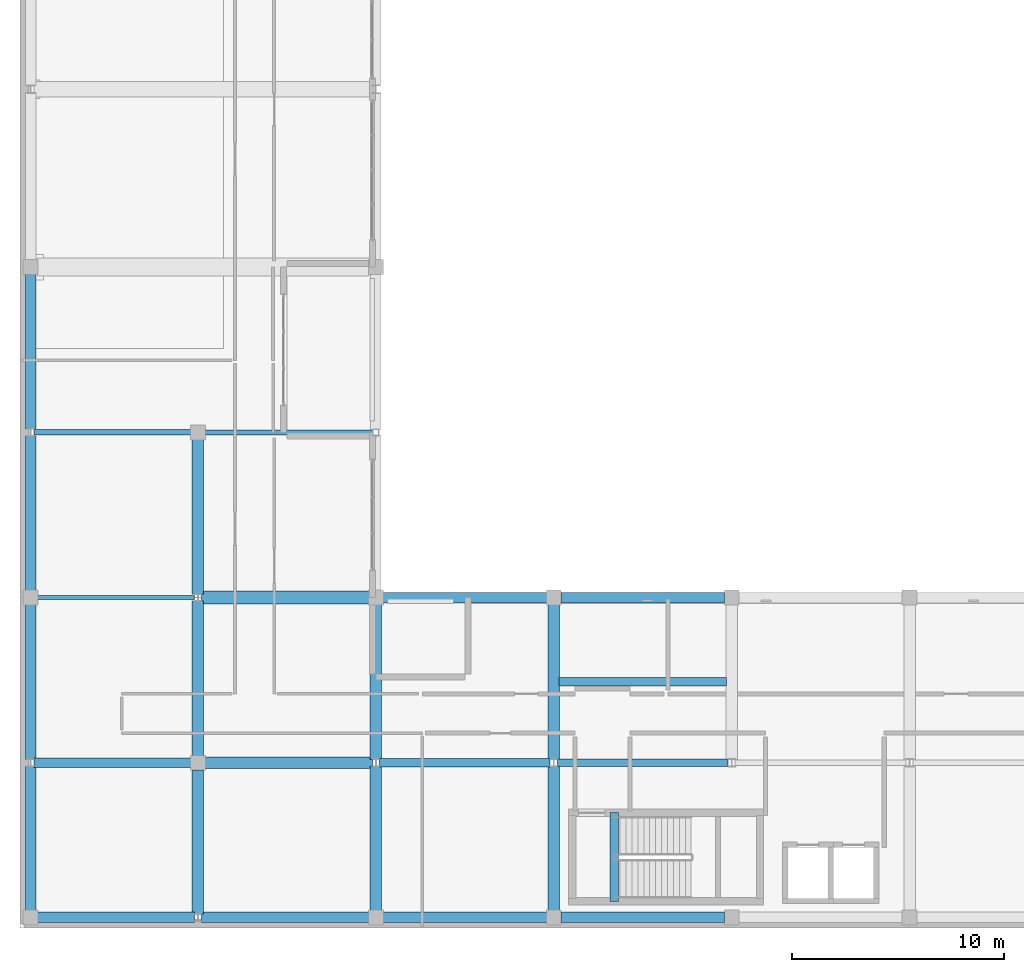
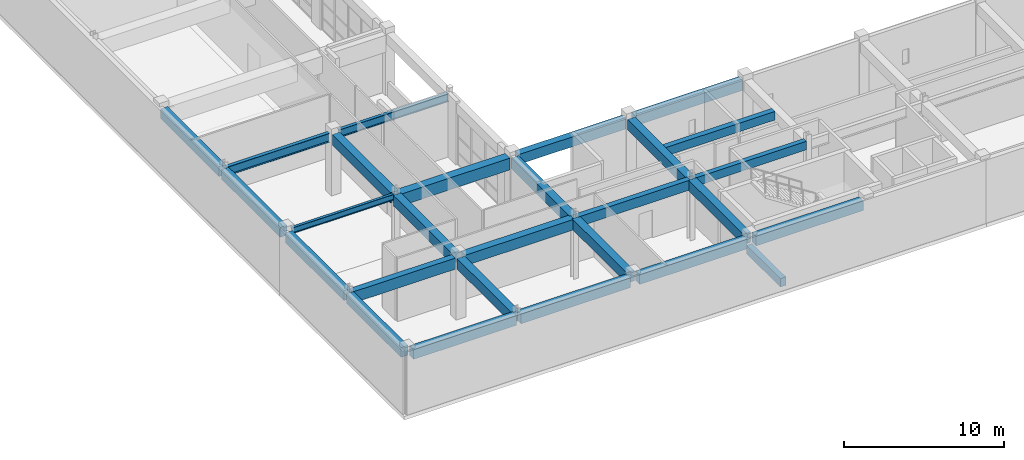
# One storey, part 12 of 78: 27 beams.
"""IFC4 building model written with IfcOpenShell, lengths in metres."""

from ifc_helpers import new_model, si_unit, direction, frame, origin, origin_2d, place, context, subcontext, project, spatial, rectangle, i_section, extrude, material, material_profile, profile_set, type_object, element, save


model = new_model("IFC4")

# Units and contexts
model_context = context("Model", 3, precision=1e-05, world=origin(), true_north=direction((0.0, 1.0)))
body_context = subcontext(model_context, "Body", "Model", "MODEL_VIEW")
ifc_project = project(units=[si_unit("LENGTHUNIT", "METRE"), si_unit("AREAUNIT", "SQUARE_METRE"), si_unit("VOLUMEUNIT", "CUBIC_METRE"), si_unit("PLANEANGLEUNIT", "RADIAN"), si_unit("MASSUNIT", "GRAM", prefix="KILO")], contexts=[model_context])

# Site, building, storey
site_placement = place(None, origin())
site = spatial("IfcSite", under=ifc_project, at=site_placement, CompositionType="ELEMENT")
building_placement = place(site_placement, origin())
building = spatial("IfcBuilding", under=site, at=building_placement, Name="Quendrovan Civic Courthouse", CompositionType="ELEMENT")
storey_placement = place(building_placement, frame((0.0, 0.0, 10.199951171875)))
storey = spatial("IfcBuildingStorey", under=building, at=storey_placement, Name="L03", CompositionType="ELEMENT", Elevation=10.199951171875)

# Beams
ifc_material_1 = material(Name="Concrete C40/50", Category="concrete")
ifc_material_profile_1 = material_profile(ifc_material_1, rectangle(XDim=0.39990234375, YDim=0.64990234375, at=origin_2d()), Name="RC-BM-400x650")
ifc_profile_set_1 = profile_set([ifc_material_profile_1], Name="Concrete C40/50")
beam_type_1 = type_object("IfcBeamType", Name="BM-RC650", PredefinedType="JOIST", material=ifc_profile_set_1)
beam_1_placement = place(storey_placement, frame((25.455078125, 11.617919921875, 4.3349609375), z_axis=(1.0, 0.0, 0.0), x_axis=(0.0, 1.0, 0.0)))
element("IfcBeam", 1, at=beam_1_placement, inside=storey, type_object=beam_type_1, Name="L03 Secondary Joist 0873", PredefinedType="JOIST", context=body_context, shape_type="SweptSolid", body=[
    extrude(rectangle(XDim=0.39990234375, YDim=0.64990234375, at=origin_2d()), origin(), (0.0, 0.0, 1.0), 7.889892578125),
])
beam_2_placement = place(storey_placement, frame((28.050048828125, 1.25, -0.324951171875), z_axis=(0.0, 1.0, 0.0), x_axis=(-1.0, 0.0, 0.0)))
element("IfcBeam", 2, at=beam_2_placement, inside=storey, type_object=beam_type_1, Name="L03 Stair ST5 Landing Trimmer Beam", PredefinedType="JOIST", context=body_context, shape_type="SweptSolid", body=[
    extrude(rectangle(XDim=0.39990234375, YDim=0.64990234375, at=origin_2d()), origin(), (0.0, 0.0, 1.0), 4.199951171875),
])
ifc_material_profile_2 = material_profile(ifc_material_1, rectangle(XDim=0.35009765625, YDim=0.64990234375, at=origin_2d()), Name="RC-BM-350x650")
ifc_profile_set_2 = profile_set([ifc_material_profile_2], Name="Concrete C40/50")
beam_type_2 = type_object("IfcBeamType", Name="BM-RC650B", PredefinedType="BEAM", material=ifc_profile_set_2)
beam_3_placement = place(storey_placement, frame((25.366943359375, 7.800048828125, 4.3349609375), z_axis=(1.0, 0.0, 0.0), x_axis=(0.0, 1.0, 0.0)))
element("IfcBeam", 3, at=beam_3_placement, inside=storey, type_object=beam_type_2, Name="L03 Girder X0725", PredefinedType="BEAM", context=body_context, shape_type="SweptSolid", body=[
    extrude(rectangle(XDim=0.35009765625, YDim=0.64990234375, at=origin_2d()), origin(), (0.0, 0.0, 1.0), 8.066162109375),
])
ifc_material_profile_3 = material_profile(ifc_material_1, rectangle(XDim=0.5, YDim=0.75, at=origin_2d()), Name="RC-BM-500x750")
ifc_profile_set_3 = profile_set([ifc_material_profile_3], Name="Concrete C40/50")
beam_type_3 = type_object("IfcBeamType", Name="BM-RC750", PredefinedType="SPANDREL", material=ifc_profile_set_3)
beam_4_placement = place(storey_placement, frame((0.830078125, 0.5, 4.28515625), z_axis=(1.0, 0.0, 0.0), x_axis=(0.0, 1.0, 0.0)))
element("IfcBeam", 4, at=beam_4_placement, inside=storey, type_object=beam_type_3, Name="L03 Girder X0714", PredefinedType="SPANDREL", context=body_context, shape_type="SweptSolid", body=[
    extrude(rectangle(XDim=0.5, YDim=0.75, at=origin_2d()), origin(), (0.0, 0.0, 1.0), 7.40283203125),
])
beam_5_placement = place(storey_placement, frame((8.56689453125, 0.5, 4.28515625), z_axis=(1.0, 0.0, 0.0), x_axis=(0.0, 1.0, 0.0)))
element("IfcBeam", 5, at=beam_5_placement, inside=storey, type_object=beam_type_3, Name="L03 Girder X0715", PredefinedType="SPANDREL", context=body_context, shape_type="SweptSolid", body=[
    extrude(rectangle(XDim=0.5, YDim=0.75, at=origin_2d()), origin(), (0.0, 0.0, 1.0), 7.903076171875),
])
beam_6_placement = place(storey_placement, frame((17.1298828125, 0.5, 4.28515625), z_axis=(1.0, 0.0, 0.0), x_axis=(0.0, 1.0, 0.0)))
element("IfcBeam", 6, at=beam_6_placement, inside=storey, type_object=beam_type_3, Name="L03 Girder X0716", PredefinedType="SPANDREL", context=body_context, shape_type="SweptSolid", body=[
    extrude(rectangle(XDim=0.5, YDim=0.75, at=origin_2d()), origin(), (0.0, 0.0, 1.0), 7.740234375),
])
beam_7_placement = place(storey_placement, frame((25.530029296875, 0.5, 4.28515625), z_axis=(1.0, 0.0, 0.0), x_axis=(0.0, 1.0, 0.0)))
element("IfcBeam", 7, at=beam_7_placement, inside=storey, type_object=beam_type_3, Name="L03 Girder X0717", PredefinedType="SPANDREL", context=body_context, shape_type="SweptSolid", body=[
    extrude(rectangle(XDim=0.5, YDim=0.75, at=origin_2d()), origin(), (0.0, 0.0, 1.0), 7.739990234375),
])
beam_8_placement = place(storey_placement, frame((17.1298828125, 15.60009765625, 4.28515625), z_axis=(1.0, 0.0, 0.0), x_axis=(0.0, 1.0, 0.0)))
element("IfcBeam", 8, at=beam_8_placement, inside=storey, type_object=beam_type_3, Name="L03 Girder X0732", PredefinedType="SPANDREL", context=body_context, shape_type="SweptSolid", body=[
    extrude(rectangle(XDim=0.5, YDim=0.75, at=origin_2d()), origin(), (0.0, 0.0, 1.0), 7.740234375),
])
beam_9_placement = place(storey_placement, frame((25.530029296875, 15.60009765625, 4.28515625), z_axis=(1.0, 0.0, 0.0), x_axis=(0.0, 1.0, 0.0)))
element("IfcBeam", 9, at=beam_9_placement, inside=storey, type_object=beam_type_3, Name="L03 Girder X0733", PredefinedType="SPANDREL", context=body_context, shape_type="SweptSolid", body=[
    extrude(rectangle(XDim=0.5, YDim=0.75, at=origin_2d()), origin(), (0.0, 0.0, 1.0), 7.739990234375),
])
beam_10_placement = place(storey_placement, frame((0.5, 0.830078125, 4.28515625), z_axis=(0.0, 1.0, 0.0), x_axis=(-1.0, 0.0, 0.0)))
element("IfcBeam", 10, at=beam_10_placement, inside=storey, type_object=beam_type_3, Name="L03 Girder Y0793", PredefinedType="SPANDREL", context=body_context, shape_type="SweptSolid", body=[
    extrude(rectangle(XDim=0.5, YDim=0.75, at=origin_2d()), origin(), (0.0, 0.0, 1.0), 6.803955078125),
])
for number, where, z_axis, x_axis, name in (
    (11, (0.5, 7.966064453125, 4.28515625), (0.0, 1.0, 0.0), (-1.0, 0.0, 0.0), "L03 Girder Y0794"),
    (12, (0.5, 15.929931640625, 4.28515625), (0.0, 1.0, 0.0), (-1.0, 0.0, 0.0), "L03 Girder Y0795"),
):
    element("IfcBeam", number, at=place(storey_placement, frame(where, z_axis=z_axis, x_axis=x_axis)), inside=storey, type_object=beam_type_3, Name=name, PredefinedType="SPANDREL", context=body_context, shape_type="SweptSolid", body=[
        extrude(rectangle(XDim=0.5, YDim=0.75, at=origin_2d()), origin(), (0.0, 0.0, 1.0), 7.303955078125),
    ])
beam_11_placement = place(storey_placement, frame((0.5, 23.56591796875, 4.28515625), z_axis=(0.0, 1.0, 0.0), x_axis=(-1.0, 0.0, 0.0)))
element("IfcBeam", 13, at=beam_11_placement, inside=storey, type_object=beam_type_3, Name="L03 Girder Y0796", PredefinedType="SPANDREL", context=body_context, shape_type="SweptSolid", body=[
    extrude(rectangle(XDim=0.5, YDim=0.75, at=origin_2d()), origin(), (0.0, 0.0, 1.0), 7.30419921875),
])
ifc_material_profile_4 = material_profile(ifc_material_1, rectangle(XDim=0.39990234375, YDim=0.75, at=origin_2d()), Name="RC-BM-400x750")
ifc_profile_set_4 = profile_set([ifc_material_profile_4], Name="Concrete C40/50")
beam_type_4 = type_object("IfcBeamType", Name="BM-RC750B", PredefinedType="BEAM", material=ifc_profile_set_4)
beam_12_placement = place(storey_placement, frame((16.967041015625, 7.800048828125, 4.28515625), z_axis=(1.0, 0.0, 0.0), x_axis=(0.0, 1.0, 0.0)))
element("IfcBeam", 14, at=beam_12_placement, inside=storey, type_object=beam_type_4, Name="L03 Girder X0724", PredefinedType="BEAM", context=body_context, shape_type="SweptSolid", body=[
    extrude(rectangle(XDim=0.39990234375, YDim=0.75, at=origin_2d()), origin(), (0.0, 0.0, 1.0), 8.06591796875),
])
ifc_material_profile_5 = material_profile(ifc_material_1, rectangle(XDim=0.550048828125, YDim=0.800048828125, at=origin_2d()), Name="RC-BM-550x800")
ifc_profile_set_5 = profile_set([ifc_material_profile_5], Name="Concrete C40/50")
beam_type_5 = type_object("IfcBeamType", Name="BM-RC800", PredefinedType="BEAM", material=ifc_profile_set_5)
beam_13_placement = place(storey_placement, frame((8.72998046875, 7.800048828125, 4.260009765625), z_axis=(1.0, 0.0, 0.0), x_axis=(0.0, 1.0, 0.0)))
element("IfcBeam", 15, at=beam_13_placement, inside=storey, type_object=beam_type_5, Name="L03 Girder X0723", PredefinedType="BEAM", context=body_context, shape_type="SweptSolid", body=[
    extrude(rectangle(XDim=0.550048828125, YDim=0.800048828125, at=origin_2d()), origin(), (0.0, 0.0, 1.0), 7.903076171875),
])
beam_14_placement = place(storey_placement, frame((8.39990234375, 0.666015625, 4.260009765625), z_axis=(0.0, 1.0, 0.0), x_axis=(-1.0, 0.0, 0.0)))
element("IfcBeam", 16, at=beam_14_placement, inside=storey, type_object=beam_type_5, Name="L03 Girder Y0805", PredefinedType="BEAM", context=body_context, shape_type="SweptSolid", body=[
    extrude(rectangle(XDim=0.550048828125, YDim=0.800048828125, at=origin_2d()), origin(), (0.0, 0.0, 1.0), 6.803955078125),
])
beam_15_placement = place(storey_placement, frame((8.39990234375, 8.1298828125, 4.260009765625), z_axis=(0.0, 1.0, 0.0), x_axis=(-1.0, 0.0, 0.0)))
element("IfcBeam", 17, at=beam_15_placement, inside=storey, type_object=beam_type_5, Name="L03 Girder Y0806", PredefinedType="BEAM", context=body_context, shape_type="SweptSolid", body=[
    extrude(rectangle(XDim=0.550048828125, YDim=0.800048828125, at=origin_2d()), origin(), (0.0, 0.0, 1.0), 7.30419921875),
])
beam_16_placement = place(storey_placement, frame((8.39990234375, 15.76611328125, 4.260009765625), z_axis=(0.0, 1.0, 0.0), x_axis=(-1.0, 0.0, 0.0)))
element("IfcBeam", 18, at=beam_16_placement, inside=storey, type_object=beam_type_5, Name="L03 Girder Y0807", PredefinedType="BEAM", context=body_context, shape_type="SweptSolid", body=[
    extrude(rectangle(XDim=0.550048828125, YDim=0.800048828125, at=origin_2d()), origin(), (0.0, 0.0, 1.0), 7.303955078125),
])
beam_17_placement = place(storey_placement, frame((16.800048828125, 0.830078125, 4.260009765625), z_axis=(0.0, 1.0, 0.0), x_axis=(-1.0, 0.0, 0.0)))
element("IfcBeam", 19, at=beam_17_placement, inside=storey, type_object=beam_type_5, Name="L03 Girder Y0808", PredefinedType="BEAM", context=body_context, shape_type="SweptSolid", body=[
    extrude(rectangle(XDim=0.550048828125, YDim=0.800048828125, at=origin_2d()), origin(), (0.0, 0.0, 1.0), 6.803955078125),
])
beam_18_placement = place(storey_placement, frame((16.800048828125, 7.966064453125, 4.260009765625), z_axis=(0.0, 1.0, 0.0), x_axis=(-1.0, 0.0, 0.0)))
element("IfcBeam", 20, at=beam_18_placement, inside=storey, type_object=beam_type_5, Name="L03 Girder Y0809", PredefinedType="BEAM", context=body_context, shape_type="SweptSolid", body=[
    extrude(rectangle(XDim=0.550048828125, YDim=0.800048828125, at=origin_2d()), origin(), (0.0, 0.0, 1.0), 7.303955078125),
])
beam_19_placement = place(storey_placement, frame((25.199951171875, 0.830078125, 4.260009765625), z_axis=(0.0, 1.0, 0.0), x_axis=(-1.0, 0.0, 0.0)))
element("IfcBeam", 21, at=beam_19_placement, inside=storey, type_object=beam_type_5, Name="L03 Girder Y0819", PredefinedType="BEAM", context=body_context, shape_type="SweptSolid", body=[
    extrude(rectangle(XDim=0.550048828125, YDim=0.800048828125, at=origin_2d()), origin(), (0.0, 0.0, 1.0), 6.803955078125),
])
beam_20_placement = place(storey_placement, frame((25.199951171875, 7.966064453125, 4.260009765625), z_axis=(0.0, 1.0, 0.0), x_axis=(-1.0, 0.0, 0.0)))
element("IfcBeam", 22, at=beam_20_placement, inside=storey, type_object=beam_type_5, Name="L03 Girder Y0820", PredefinedType="BEAM", context=body_context, shape_type="SweptSolid", body=[
    extrude(rectangle(XDim=0.550048828125, YDim=0.800048828125, at=origin_2d()), origin(), (0.0, 0.0, 1.0), 7.303955078125),
])
ifc_material_2 = material(Name="Concrete C45/55", Category="concrete")
ifc_material_profile_6 = material_profile(ifc_material_2, rectangle(XDim=0.449951171875, YDim=0.85009765625, at=origin_2d()), Name="RC-BM-450x850")
ifc_profile_set_6 = profile_set([ifc_material_profile_6], Name="Concrete C45/55")
beam_type_6 = type_object("IfcBeamType", Name="BM-RC850", PredefinedType="BEAM", material=ifc_profile_set_6)
beam_21_placement = place(storey_placement, frame((0.6669921875, 7.800048828125, 4.235107421875), z_axis=(1.0, 0.0, 0.0), x_axis=(0.0, 1.0, 0.0)))
element("IfcBeam", 23, at=beam_21_placement, inside=storey, type_object=beam_type_6, Name="L03 Girder X0722", PredefinedType="BEAM", context=body_context, shape_type="SweptSolid", body=[
    extrude(rectangle(XDim=0.449951171875, YDim=0.85009765625, at=origin_2d()), origin(), (0.0, 0.0, 1.0), 7.403076171875),
])
ifc_material_profile_7 = material_profile(ifc_material_1, rectangle(XDim=0.60009765625, YDim=0.89990234375, at=origin_2d()), Name="RC-BM-600x900")
ifc_profile_set_7 = profile_set([ifc_material_profile_7], Name="Concrete C40/50")
beam_type_7 = type_object("IfcBeamType", Name="BM-RC900", PredefinedType="BEAM", material=ifc_profile_set_7)
beam_22_placement = place(storey_placement, frame((8.56689453125, 15.60009765625, 4.2099609375), z_axis=(1.0, 0.0, 0.0), x_axis=(0.0, 1.0, 0.0)))
element("IfcBeam", 24, at=beam_22_placement, inside=storey, type_object=beam_type_7, Name="L03 Girder X0731", PredefinedType="BEAM", context=body_context, shape_type="SweptSolid", body=[
    extrude(rectangle(XDim=0.60009765625, YDim=0.89990234375, at=origin_2d()), origin(), (0.0, 0.0, 1.0), 7.903076171875),
])
ifc_material_3 = material(Name="Steel ASTM A992 Grade 50", Category="steel")
ifc_material_profile_8 = material_profile(ifc_material_3, i_section(OverallWidth=0.18994140625, OverallDepth=0.45703125, WebThickness=0.009033203125, FlangeThickness=0.014404296875, at=origin_2d()), Name="W18X50")
ifc_profile_set_8 = profile_set([ifc_material_profile_8], Name="Steel ASTM A992 Grade 50")
beam_type_8 = type_object("IfcBeamType", Name="BM-STL-W18", PredefinedType="JOIST", material=ifc_profile_set_8)
beam_23_placement = place(storey_placement, frame((0.830078125, 15.60009765625, 4.431640625), z_axis=(1.0, 0.0, 0.0), x_axis=(0.0, 1.0, 0.0)))
element("IfcBeam", 25, at=beam_23_placement, inside=storey, type_object=beam_type_8, Name="L03 Girder X0730", PredefinedType="JOIST", context=body_context, shape_type="SweptSolid", body=[
    extrude(i_section(OverallWidth=0.18994140625, OverallDepth=0.45703125, WebThickness=0.009033203125, FlangeThickness=0.014404296875, at=origin_2d()), origin(), (0.0, 0.0, 1.0), 7.40283203125),
])
ifc_material_profile_9 = material_profile(ifc_material_3, i_section(OverallWidth=0.22802734375, OverallDepth=0.60693359375, WebThickness=0.01123046875, FlangeThickness=0.017333984375, at=origin_2d()), Name="W24X76")
ifc_profile_set_9 = profile_set([ifc_material_profile_9], Name="Steel ASTM A992 Grade 50")
beam_type_9 = type_object("IfcBeamType", Name="BM-STL-W24", PredefinedType="BEAM", material=ifc_profile_set_9)
beam_24_placement = place(storey_placement, frame((8.72998046875, 23.39990234375, 4.3564453125), z_axis=(1.0, 0.0, 0.0), x_axis=(0.0, 1.0, 0.0)))
element("IfcBeam", 26, at=beam_24_placement, inside=storey, type_object=beam_type_9, Name="L03 Girder X0738", PredefinedType="BEAM", context=body_context, shape_type="SweptSolid", body=[
    extrude(i_section(OverallWidth=0.22802734375, OverallDepth=0.60693359375, WebThickness=0.01123046875, FlangeThickness=0.017333984375, at=origin_2d()), origin(), (0.0, 0.0, 1.0), 7.93994140625),
])
ifc_material_profile_10 = material_profile(ifc_material_3, i_section(OverallWidth=0.25390625, OverallDepth=0.68408203125, WebThickness=0.012451171875, FlangeThickness=0.018798828125, at=origin_2d()), Name="W27X94")
ifc_profile_set_10 = profile_set([ifc_material_profile_10], Name="Steel ASTM A992 Grade 50")
beam_type_10 = type_object("IfcBeamType", Name="BM-STL-W27", PredefinedType="BEAM", material=ifc_profile_set_10)
beam_25_placement = place(storey_placement, frame((0.6669921875, 23.39990234375, 4.318115234375), z_axis=(1.0, 0.0, 0.0), x_axis=(0.0, 1.0, 0.0)))
element("IfcBeam", 27, at=beam_25_placement, inside=storey, type_object=beam_type_10, Name="L03 Girder X0737", PredefinedType="BEAM", context=body_context, shape_type="SweptSolid", body=[
    extrude(i_section(OverallWidth=0.25390625, OverallDepth=0.68408203125, WebThickness=0.012451171875, FlangeThickness=0.018798828125, at=origin_2d()), origin(), (0.0, 0.0, 1.0), 7.403076171875),
])

save(model, "model.ifc")
